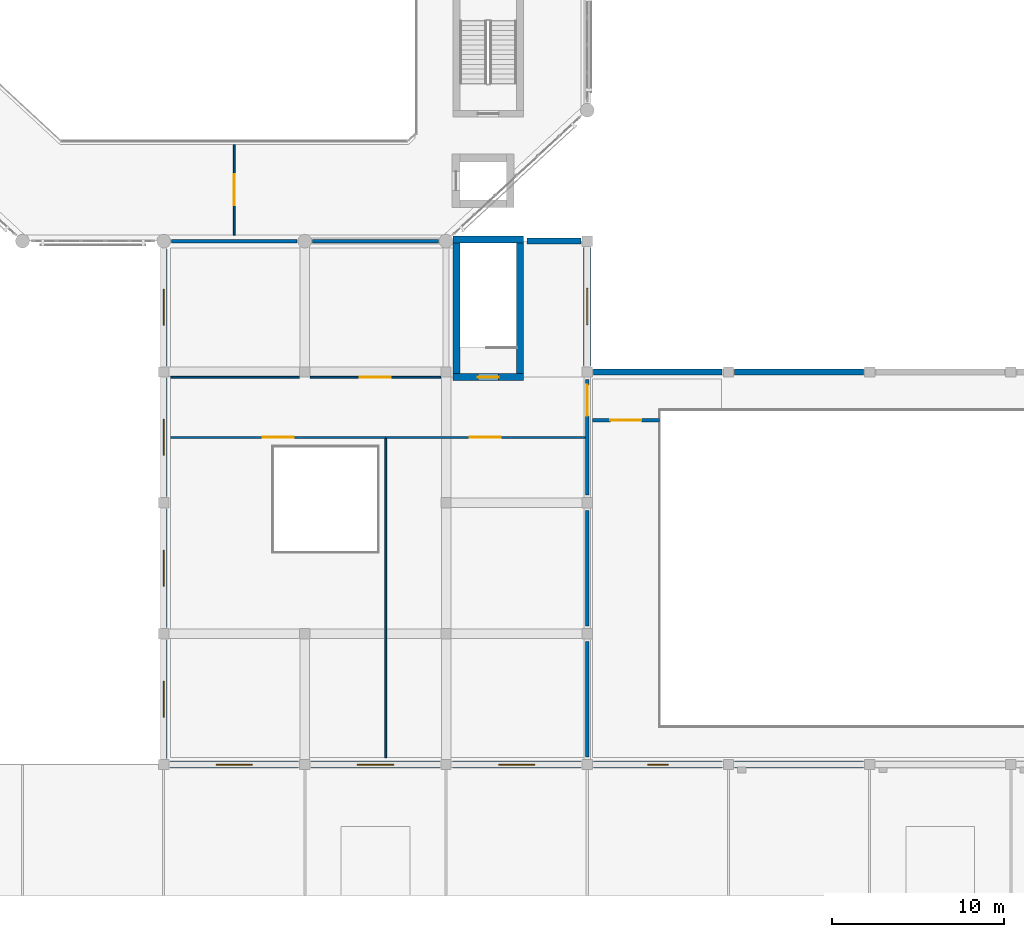
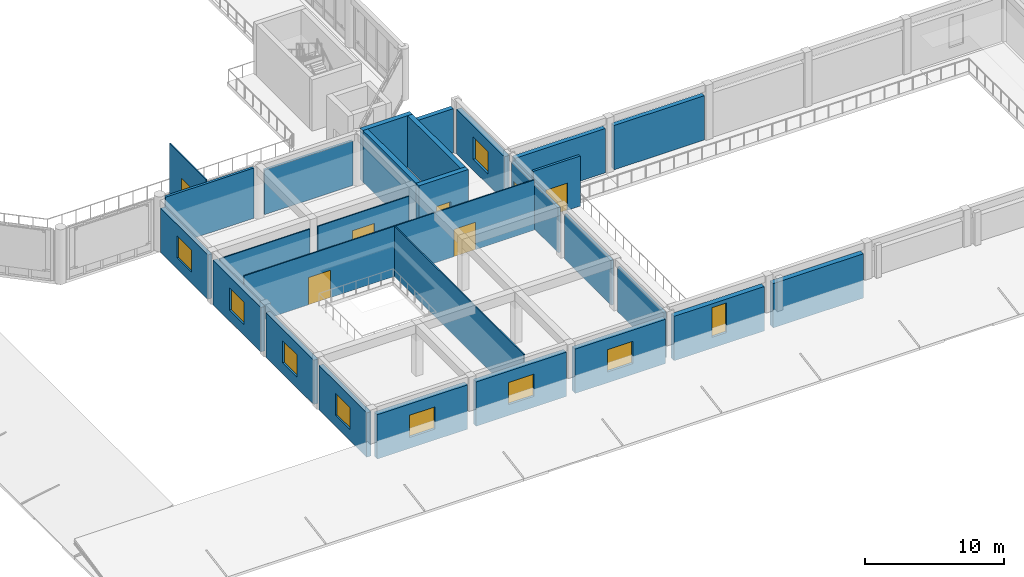
# One storey, part 36 of 57: 29 walls, 9 windows, 7 doors, 16 openings.
"""IFC4 building model written with IfcOpenShell, lengths in metres."""

from ifc_helpers import new_model, si_unit, direction, frame, frame_2d, origin, place, context, subcontext, project, spatial, rectangle, extrude, material, layer, layer_set, type_object, element, fill, save


model = new_model("IFC4")

# Units and contexts
model_context = context("Model", 3, precision=1e-05, world=origin(), true_north=direction((0.0, 1.0)))
body_context = subcontext(model_context, "Body", "Model", "MODEL_VIEW")
ifc_project = project(units=[si_unit("LENGTHUNIT", "METRE"), si_unit("AREAUNIT", "SQUARE_METRE"), si_unit("VOLUMEUNIT", "CUBIC_METRE"), si_unit("PLANEANGLEUNIT", "RADIAN"), si_unit("MASSUNIT", "GRAM", prefix="KILO")], contexts=[model_context])

# Site, building, storey
site_placement = place(None, origin())
site = spatial("IfcSite", under=ifc_project, at=site_placement, CompositionType="ELEMENT")
building_placement = place(site_placement, origin())
building = spatial("IfcBuilding", under=site, at=building_placement, Name="Qandaris Square Conservatory and Botanical Centre", CompositionType="ELEMENT")
storey_placement = place(building_placement, frame((0.0, 0.0, 5.39990234375)))
storey = spatial("IfcBuildingStorey", under=building, at=storey_placement, Name="L01", CompositionType="ELEMENT", Elevation=5.39990234375)

# Walls
ifc_material_1 = material(Name="Precast concrete C40/50", Category="concrete")
ifc_layer_1 = layer(ifc_material_1, 0.360107421875)
ifc_layer_set_1 = layer_set([ifc_layer_1], Name="Precast concrete C40/50")
wall_type_1 = type_object("IfcWallType", Name="Architectural Precast Cladding Wall 360mm", PredefinedType="SOLIDWALL", material=ifc_layer_set_1)
for number, where, z_axis, x_axis, name in (
    (1, (73.239990234375, 39.39990234375, 0.0), (0.0, 0.0, 1.0), (-1.0, 0.0, 0.0), "Exterior Wall EW-V2-L01-3-4"),
    (2, (65.0400390625, 39.39990234375, 0.0), (0.0, 0.0, 1.0), (-1.0, 0.0, 0.0), "Exterior Wall EW-V2-L01-3-5"),
):
    element("IfcWall", number, at=place(storey_placement, frame(where, z_axis=z_axis, x_axis=x_axis)), inside=storey, type_object=wall_type_1, Name=name, PredefinedType="SOLIDWALL", context=body_context, shape_type="SweptSolid", body=[
        extrude(rectangle(XDim=7.47998046875, YDim=0.360107421875, at=frame_2d((3.739990234375, 0.0))), origin(), (0.0, 0.0, 1.0), 3.885009765625),
    ])
wall_1_placement = place(storey_placement, frame((53.7099609375, 47.0, 0.0), z_axis=(0.0, 0.0, 1.0), x_axis=(1.0, 0.0, 0.0)))
element("IfcWall", 3, at=wall_1_placement, inside=storey, type_object=wall_type_1, Name="Exterior Wall EW-V3A-L01-3-1", PredefinedType="SOLIDWALL", context=body_context, shape_type="SweptSolid", body=[
    extrude(rectangle(XDim=3.130126953125, YDim=0.360107421875, at=frame_2d((1.56494140625, 0.0))), origin(), (0.0, 0.0, 1.0), 3.885009765625),
])

# Wall, opening, window
wall_2_placement = place(storey_placement, frame((32.60009765625, 46.5400390625, 0.0), z_axis=(0.0, 0.0, 1.0), x_axis=(0.0, -1.0, 0.0)))
wall_2 = element("IfcWall", 4, at=wall_2_placement, inside=storey, type_object=wall_type_1, Name="Exterior Wall EW-V3A-L01-4-1", PredefinedType="SOLIDWALL", context=body_context, shape_type="SweptSolid", body=[
    extrude(rectangle(XDim=6.780029296875, YDim=0.360107421875, at=frame_2d((3.39013671875, 0.0))), origin(), (0.0, 0.0, 1.0), 3.885009765625),
])
opening_1_placement = place(wall_2_placement, frame((2.340087890625, 0.0, 0.949951171875)))
opening_1 = element("IfcOpeningElement", 5, at=opening_1_placement, cuts=wall_2, Name="Opening WN-07", PredefinedType="OPENING", context=body_context, shape_type="SweptSolid", body=[
    extrude(rectangle(XDim=2.10009765625, YDim=1.949951171875, at=frame_2d((1.050048828125, 0.97509765625))), frame((0.0, 0.19189453125, 0.0), z_axis=(0.0, -1.0, 0.0), x_axis=(1.0, 0.0, 0.0)), (0.0, 0.0, 1.0), 0.384033203125),
])
ifc_material_2 = material(Name="Tempered Low-E Glass", Category="glass")
window_type_1 = type_object("IfcWindowType", Name="Visitor Classroom Deep-Set Window 2100x1950", PartitioningType="DOUBLE_PANEL_VERTICAL", PredefinedType="WINDOW", material=ifc_material_2)
window_1_placement = place(opening_1_placement, origin())
window_1 = element("IfcWindow", 6, at=window_1_placement, inside=storey, type_object=window_type_1, Name="Window EW-V3A-L01-4-1", OverallHeight=1.949951171875, OverallWidth=2.10009765625, PartitioningType="DOUBLE_PANEL_VERTICAL", PredefinedType="WINDOW", context=body_context, shape_type="SweptSolid", body=[
    extrude(rectangle(XDim=2.10009765625, YDim=1.949951171875, at=frame_2d((1.050048828125, 0.97509765625))), frame((0.0, 0.030029296875, 0.0), z_axis=(0.0, -1.0, 0.0), x_axis=(1.0, 0.0, 0.0)), (0.0, 0.0, 1.0), 0.06005859375),
])
fill(opening_1, window_1)

wall_3_placement = place(storey_placement, frame((32.60009765625, 39.0400390625, 0.0), z_axis=(0.0, 0.0, 1.0), x_axis=(0.0, -1.0, 0.0)))
wall_3 = element("IfcWall", 7, at=wall_3_placement, inside=storey, type_object=wall_type_1, Name="Exterior Wall EW-V3A-L01-4-2", PredefinedType="SOLIDWALL", context=body_context, shape_type="SweptSolid", body=[
    extrude(rectangle(XDim=6.880126953125, YDim=0.360107421875, at=frame_2d((3.43994140625, 0.0))), origin(), (0.0, 0.0, 1.0), 3.885009765625),
])
opening_2_placement = place(wall_3_placement, frame((2.389892578125, 0.0, 0.949951171875)))
opening_2 = element("IfcOpeningElement", 8, at=opening_2_placement, cuts=wall_3, Name="Opening WN-07", PredefinedType="OPENING", context=body_context, shape_type="SweptSolid", body=[
    extrude(rectangle(XDim=2.10009765625, YDim=1.949951171875, at=frame_2d((1.050048828125, 0.97509765625))), frame((0.0, 0.19189453125, 0.0), z_axis=(0.0, -1.0, 0.0), x_axis=(1.0, 0.0, 0.0)), (0.0, 0.0, 1.0), 0.384033203125),
])
window_2_placement = place(opening_2_placement, origin())
window_2 = element("IfcWindow", 9, at=window_2_placement, inside=storey, type_object=window_type_1, Name="Window EW-V3A-L01-4-2", OverallHeight=1.949951171875, OverallWidth=2.10009765625, PartitioningType="DOUBLE_PANEL_VERTICAL", PredefinedType="WINDOW", context=body_context, shape_type="SweptSolid", body=[
    extrude(rectangle(XDim=2.10009765625, YDim=1.949951171875, at=frame_2d((1.050048828125, 0.97509765625))), frame((0.0, 0.030029296875, 0.0), z_axis=(0.0, -1.0, 0.0), x_axis=(1.0, 0.0, 0.0)), (0.0, 0.0, 1.0), 0.06005859375),
])
fill(opening_2, window_2)

wall_4_placement = place(storey_placement, frame((32.60009765625, 31.43994140625, 0.0), z_axis=(0.0, 0.0, 1.0), x_axis=(0.0, -1.0, 0.0)))
wall_4 = element("IfcWall", 10, at=wall_4_placement, inside=storey, type_object=wall_type_1, Name="Exterior Wall EW-V3A-L01-4-3", PredefinedType="SOLIDWALL", context=body_context, shape_type="SweptSolid", body=[
    extrude(rectangle(XDim=6.8798828125, YDim=0.360107421875, at=frame_2d((3.43994140625, 0.0))), origin(), (0.0, 0.0, 1.0), 3.885009765625),
])
opening_3_placement = place(wall_4_placement, frame((2.389892578125, 0.0, 0.949951171875)))
opening_3 = element("IfcOpeningElement", 11, at=opening_3_placement, cuts=wall_4, Name="Opening WN-07", PredefinedType="OPENING", context=body_context, shape_type="SweptSolid", body=[
    extrude(rectangle(XDim=2.10009765625, YDim=1.949951171875, at=frame_2d((1.050048828125, 0.97509765625))), frame((0.0, 0.19189453125, 0.0), z_axis=(0.0, -1.0, 0.0), x_axis=(1.0, 0.0, 0.0)), (0.0, 0.0, 1.0), 0.384033203125),
])
window_3_placement = place(opening_3_placement, origin())
window_3 = element("IfcWindow", 12, at=window_3_placement, inside=storey, type_object=window_type_1, Name="Window EW-V3A-L01-4-3", OverallHeight=1.949951171875, OverallWidth=2.10009765625, PartitioningType="DOUBLE_PANEL_VERTICAL", PredefinedType="WINDOW", context=body_context, shape_type="SweptSolid", body=[
    extrude(rectangle(XDim=2.10009765625, YDim=1.949951171875, at=frame_2d((1.050048828125, 0.97509765625))), frame((0.0, 0.030029296875, 0.0), z_axis=(0.0, -1.0, 0.0), x_axis=(1.0, 0.0, 0.0)), (0.0, 0.0, 1.0), 0.06005859375),
])
fill(opening_3, window_3)

wall_5_placement = place(storey_placement, frame((32.60009765625, 23.840087890625, 0.0), z_axis=(0.0, 0.0, 1.0), x_axis=(0.0, -1.0, 0.0)))
wall_5 = element("IfcWall", 13, at=wall_5_placement, inside=storey, type_object=wall_type_1, Name="Exterior Wall EW-V3A-L01-4-4", PredefinedType="SOLIDWALL", context=body_context, shape_type="SweptSolid", body=[
    extrude(rectangle(XDim=6.880126953125, YDim=0.360107421875, at=frame_2d((3.43994140625, 0.0))), origin(), (0.0, 0.0, 1.0), 3.885009765625),
])
opening_4_placement = place(wall_5_placement, frame((2.389892578125, 0.0, 0.949951171875)))
opening_4 = element("IfcOpeningElement", 14, at=opening_4_placement, cuts=wall_5, Name="Opening WN-07", PredefinedType="OPENING", context=body_context, shape_type="SweptSolid", body=[
    extrude(rectangle(XDim=2.10009765625, YDim=1.949951171875, at=frame_2d((1.050048828125, 0.97509765625))), frame((0.0, 0.19189453125, 0.0), z_axis=(0.0, -1.0, 0.0), x_axis=(1.0, 0.0, 0.0)), (0.0, 0.0, 1.0), 0.384033203125),
])
window_4_placement = place(opening_4_placement, origin())
window_4 = element("IfcWindow", 15, at=window_4_placement, inside=storey, type_object=window_type_1, Name="Window EW-V3A-L01-4-4", OverallHeight=1.949951171875, OverallWidth=2.10009765625, PartitioningType="DOUBLE_PANEL_VERTICAL", PredefinedType="WINDOW", context=body_context, shape_type="SweptSolid", body=[
    extrude(rectangle(XDim=2.10009765625, YDim=1.949951171875, at=frame_2d((1.050048828125, 0.97509765625))), frame((0.0, 0.030029296875, 0.0), z_axis=(0.0, -1.0, 0.0), x_axis=(1.0, 0.0, 0.0)), (0.0, 0.0, 1.0), 0.06005859375),
])
fill(opening_4, window_4)

# Wall, opening, door
ifc_layer_2 = layer(ifc_material_2, 0.10009765625)
ifc_layer_set_2 = layer_set([ifc_layer_2], Name="Tempered Low-E Glass")
wall_type_2 = type_object("IfcWallType", Name="Framed Acoustic Glazed Gallery Screen 100mm", PredefinedType="PARTITIONING", material=ifc_layer_set_2)
wall_6_placement = place(storey_placement, frame((36.699951171875, 47.35009765625, 0.0), z_axis=(0.0, 0.0, 1.0), x_axis=(0.0, 1.0, 0.0)))
wall_6 = element("IfcWall", 16, at=wall_6_placement, inside=storey, type_object=wall_type_2, Name="Interior Partition IW-L01-0123", PredefinedType="PARTITIONING", context=body_context, shape_type="SweptSolid", body=[
    extrude(rectangle(XDim=5.25, YDim=0.10009765625, at=frame_2d((2.625, 0.0))), origin(), (0.0, 0.0, 1.0), 4.405029296875),
])
opening_5_placement = place(wall_6_placement, frame((1.72509765625, 0.0, 0.0)))
opening_5 = element("IfcOpeningElement", 17, at=opening_5_placement, cuts=wall_6, Name="Opening D-GL1", PredefinedType="OPENING", context=body_context, shape_type="SweptSolid", body=[
    extrude(rectangle(XDim=1.800048828125, YDim=2.39990234375, at=frame_2d((0.89990234375, 1.199951171875))), frame((0.0, 0.06201171875, 0.0), z_axis=(0.0, -1.0, 0.0), x_axis=(1.0, 0.0, 0.0)), (0.0, 0.0, 1.0), 0.1240234375),
])
ifc_material_3 = material(Name="Anodised Aluminium", Category="aluminium")
door_type_1 = type_object("IfcDoorType", Name="Visitor Gallery Glazed Double Door 1800x2400", OperationType="DOUBLE_DOOR_SINGLE_SWING", PredefinedType="DOOR", material=ifc_material_3)
door_1_placement = place(opening_5_placement, origin())
door_1 = element("IfcDoor", 18, at=door_1_placement, inside=storey, type_object=door_type_1, Name="DR-0098 Conservatory Canopy Skywalk Gallery East Door", OperationType="DOUBLE_DOOR_SINGLE_SWING", OverallHeight=2.39990234375, OverallWidth=1.800048828125, PredefinedType="DOOR", context=body_context, shape_type="SweptSolid", body=[
    extrude(rectangle(XDim=1.800048828125, YDim=2.39990234375, at=frame_2d((0.89990234375, 1.199951171875))), frame((0.0, 0.02490234375, 0.0), z_axis=(0.0, -1.0, 0.0), x_axis=(1.0, 0.0, 0.0)), (0.0, 0.0, 1.0), 0.050048828125),
])
fill(opening_5, door_1)

wall_7_placement = place(storey_placement, frame((45.5, 35.60009765625, 0.0), z_axis=(0.0, 0.0, 1.0), x_axis=(-1.0, 0.0, 0.0)))
wall_7 = element("IfcWall", 19, at=wall_7_placement, inside=storey, type_object=wall_type_2, Name="Interior Partition IW-L01-0127", PredefinedType="PARTITIONING", context=body_context, shape_type="SweptSolid", body=[
    extrude(rectangle(XDim=12.5, YDim=0.10009765625, at=frame_2d((6.25, 0.0))), origin(), (0.0, 0.0, 1.0), 4.405029296875),
])
opening_6_placement = place(wall_7_placement, frame((5.35009765625, 0.0, 0.0)))
opening_6 = element("IfcOpeningElement", 20, at=opening_6_placement, cuts=wall_7, Name="Opening D-GL1", PredefinedType="OPENING", context=body_context, shape_type="SweptSolid", body=[
    extrude(rectangle(XDim=1.800048828125, YDim=2.39990234375, at=frame_2d((0.89990234375, 1.199951171875))), frame((0.0, 0.06201171875, 0.0), z_axis=(0.0, -1.0, 0.0), x_axis=(1.0, 0.0, 0.0)), (0.0, 0.0, 1.0), 0.1240234375),
])
door_2_placement = place(opening_6_placement, frame((1.800048828125, 0.0, 0.0), z_axis=(0.0, 0.0, 1.0), x_axis=(-1.0, 0.0, 0.0)))
door_2 = element("IfcDoor", 21, at=door_2_placement, inside=storey, type_object=door_type_1, Name="DR-0099 Visitor Centre School Teaching Laboratory Door", OperationType="DOUBLE_DOOR_SINGLE_SWING", OverallHeight=2.39990234375, OverallWidth=1.800048828125, PredefinedType="DOOR", context=body_context, shape_type="SweptSolid", body=[
    extrude(rectangle(XDim=1.800048828125, YDim=2.39990234375, at=frame_2d((0.89990234375, 1.199951171875))), frame((0.0, 0.02490234375, 0.0), z_axis=(0.0, -1.0, 0.0), x_axis=(1.0, 0.0, 0.0)), (0.0, 0.0, 1.0), 0.050048828125),
])
fill(opening_6, door_2)

wall_8_placement = place(storey_placement, frame((57.070068359375, 35.60009765625, 0.0), z_axis=(0.0, 0.0, 1.0), x_axis=(-1.0, 0.0, 0.0)))
wall_8 = element("IfcWall", 22, at=wall_8_placement, inside=storey, type_object=wall_type_2, Name="Interior Partition IW-L01-0128", PredefinedType="PARTITIONING", context=body_context, shape_type="SweptSolid", body=[
    extrude(rectangle(XDim=11.570068359375, YDim=0.10009765625, at=frame_2d((5.78515625, 0.0))), origin(), (0.0, 0.0, 1.0), 4.405029296875),
])
opening_7_placement = place(wall_8_placement, frame((4.885009765625, 0.0, 0.0)))
opening_7 = element("IfcOpeningElement", 23, at=opening_7_placement, cuts=wall_8, Name="Opening D-GL1", PredefinedType="OPENING", context=body_context, shape_type="SweptSolid", body=[
    extrude(rectangle(XDim=1.800048828125, YDim=2.39990234375, at=frame_2d((0.89990234375, 1.199951171875))), frame((0.0, 0.06201171875, 0.0), z_axis=(0.0, -1.0, 0.0), x_axis=(1.0, 0.0, 0.0)), (0.0, 0.0, 1.0), 0.1240234375),
])
door_3_placement = place(opening_7_placement, origin())
door_3 = element("IfcDoor", 24, at=door_3_placement, inside=storey, type_object=door_type_1, Name="DR-0100 Youth Botany Discovery Classroom Door", OperationType="DOUBLE_DOOR_SINGLE_SWING", OverallHeight=2.39990234375, OverallWidth=1.800048828125, PredefinedType="DOOR", context=body_context, shape_type="SweptSolid", body=[
    extrude(rectangle(XDim=1.800048828125, YDim=2.39990234375, at=frame_2d((0.89990234375, 1.199951171875))), frame((0.0, 0.02490234375, 0.0), z_axis=(0.0, -1.0, 0.0), x_axis=(1.0, 0.0, 0.0)), (0.0, 0.0, 1.0), 0.050048828125),
])
fill(opening_7, door_3)

# Wall
wall_9_placement = place(storey_placement, frame((33.0, 39.10009765625, 0.0), z_axis=(0.0, 0.0, 1.0), x_axis=(1.0, 0.0, 0.0)))
element("IfcWall", 25, at=wall_9_placement, inside=storey, type_object=wall_type_2, Name="Interior Partition IW-L01-0129", PredefinedType="PARTITIONING", context=body_context, shape_type="SweptSolid", body=[
    extrude(rectangle(XDim=7.47998046875, YDim=0.10009765625, at=frame_2d((3.739990234375, 0.0))), origin(), (0.0, 0.0, 1.0), 3.780029296875),
])

# Wall, opening, door
wall_10_placement = place(storey_placement, frame((41.1201171875, 39.10009765625, 0.0), z_axis=(0.0, 0.0, 1.0), x_axis=(1.0, 0.0, 0.0)))
wall_10 = element("IfcWall", 26, at=wall_10_placement, inside=storey, type_object=wall_type_2, Name="Interior Partition IW-L01-0130", PredefinedType="PARTITIONING", context=body_context, shape_type="SweptSolid", body=[
    extrude(rectangle(XDim=7.559814453125, YDim=0.10009765625, at=frame_2d((3.77978515625, 0.0))), origin(), (0.0, 0.0, 1.0), 3.780029296875),
])
opening_8_placement = place(wall_10_placement, frame((2.8798828125, 0.0, 0.0)))
opening_8 = element("IfcOpeningElement", 27, at=opening_8_placement, cuts=wall_10, Name="Opening D-GL1", PredefinedType="OPENING", context=body_context, shape_type="SweptSolid", body=[
    extrude(rectangle(XDim=1.800048828125, YDim=2.39990234375, at=frame_2d((0.89990234375, 1.199951171875))), frame((0.0, 0.06201171875, 0.0), z_axis=(0.0, -1.0, 0.0), x_axis=(1.0, 0.0, 0.0)), (0.0, 0.0, 1.0), 0.1240234375),
])
door_4_placement = place(opening_8_placement, frame((1.800048828125, 0.0, 0.0), z_axis=(0.0, 0.0, 1.0), x_axis=(-1.0, 0.0, 0.0)))
door_4 = element("IfcDoor", 28, at=door_4_placement, inside=storey, type_object=door_type_1, Name="DR-0101 Community Desert Gardening Workshop Door", OperationType="DOUBLE_DOOR_SINGLE_SWING", OverallHeight=2.39990234375, OverallWidth=1.800048828125, PredefinedType="DOOR", context=body_context, shape_type="SweptSolid", body=[
    extrude(rectangle(XDim=1.800048828125, YDim=2.39990234375, at=frame_2d((0.89990234375, 1.199951171875))), frame((0.0, 0.02490234375, 0.0), z_axis=(0.0, -1.0, 0.0), x_axis=(1.0, 0.0, 0.0)), (0.0, 0.0, 1.0), 0.050048828125),
])
fill(opening_8, door_4)

# Walls
wall_11_placement = place(storey_placement, frame((45.5, 35.60009765625, 0.0), z_axis=(0.0, 0.0, 1.0), x_axis=(0.0, -1.0, 0.0)))
element("IfcWall", 29, at=wall_11_placement, inside=storey, type_object=wall_type_2, Name="Interior Partition IW-L01-0131", PredefinedType="PARTITIONING", context=body_context, shape_type="SweptSolid", body=[
    extrude(rectangle(XDim=18.60009765625, YDim=0.10009765625, at=frame_2d((9.300048828125, 0.0))), origin(), (0.0, 0.0, 1.0), 4.405029296875),
])
ifc_material_4 = material(Name="Concrete C40/50", Category="concrete")
ifc_layer_3 = layer(ifc_material_4, 0.199951171875)
ifc_layer_set_3 = layer_set([ifc_layer_3], Name="Concrete C40/50")
wall_type_3 = type_object("IfcWallType", Name="Herbarium & Plant Compartment Wall 200mm", PredefinedType="PARTITIONING", material=ifc_layer_set_3)
wall_12_placement = place(storey_placement, frame((57.199951171875, 17.050048828125, 0.0), z_axis=(0.0, 0.0, 1.0), x_axis=(0.0, 1.0, 0.0)))
element("IfcWall", 30, at=wall_12_placement, inside=storey, type_object=wall_type_3, Name="Compartment Wall PW-V3AV2-L01-1", PredefinedType="PARTITIONING", context=body_context, shape_type="SweptSolid", body=[
    extrude(rectangle(XDim=6.699951171875, YDim=0.199951171875, at=frame_2d((3.35009765625, 0.0))), origin(), (0.0, 0.0, 1.0), 3.93017578125),
])
wall_13_placement = place(storey_placement, frame((57.199951171875, 24.64990234375, 0.0), z_axis=(0.0, 0.0, 1.0), x_axis=(0.0, 1.0, 0.0)))
element("IfcWall", 31, at=wall_13_placement, inside=storey, type_object=wall_type_3, Name="Compartment Wall PW-V3AV2-L01-2", PredefinedType="PARTITIONING", context=body_context, shape_type="SweptSolid", body=[
    extrude(rectangle(XDim=6.7001953125, YDim=0.199951171875, at=frame_2d((3.35009765625, 0.0))), origin(), (0.0, 0.0, 1.0), 3.93017578125),
])

# Wall, opening, door
wall_14_placement = place(storey_placement, frame((57.199951171875, 32.25, 0.0), z_axis=(0.0, 0.0, 1.0), x_axis=(0.0, 1.0, 0.0)))
wall_14 = element("IfcWall", 32, at=wall_14_placement, inside=storey, type_object=wall_type_3, Name="Compartment Wall PW-V3AV2-L01-3", PredefinedType="PARTITIONING", context=body_context, shape_type="SweptSolid", body=[
    extrude(rectangle(XDim=6.699951171875, YDim=0.199951171875, at=frame_2d((3.35009765625, 0.0))), origin(), (0.0, 0.0, 1.0), 3.93017578125),
])
opening_9_placement = place(wall_14_placement, frame((4.60009765625, 0.0, 0.0)))
opening_9 = element("IfcOpeningElement", 33, at=opening_9_placement, cuts=wall_14, Name="Opening D-AUD1", PredefinedType="OPENING", context=body_context, shape_type="SweptSolid", body=[
    extrude(rectangle(XDim=1.800048828125, YDim=2.39990234375, at=frame_2d((0.89990234375, 1.199951171875))), frame((0.0, 0.11181640625, 0.0), z_axis=(0.0, -1.0, 0.0), x_axis=(1.0, 0.0, 0.0)), (0.0, 0.0, 1.0), 0.223876953125),
])
ifc_material_5 = material(Name="Engineered Oak Timber", Category="wood")
door_type_2 = type_object("IfcDoorType", Name="Auditorium Acoustic Vestibule Double Door 1800x2400", OperationType="DOUBLE_DOOR_SINGLE_SWING", PredefinedType="DOOR", material=ifc_material_5)
door_5_placement = place(opening_9_placement, origin())
door_5 = element("IfcDoor", 34, at=door_5_placement, inside=storey, type_object=door_type_2, Name="DR-0090 Inter-Volume Connecting Door PVD-L01-V3AV2", OperationType="DOUBLE_DOOR_SINGLE_SWING", OverallHeight=2.39990234375, OverallWidth=1.800048828125, PredefinedType="DOOR", context=body_context, shape_type="SweptSolid", body=[
    extrude(rectangle(XDim=1.800048828125, YDim=2.39990234375, at=frame_2d((0.89990234375, 1.199951171875))), frame((0.0, 0.02490234375, 0.0), z_axis=(0.0, -1.0, 0.0), x_axis=(1.0, 0.0, 0.0)), (0.0, 0.0, 1.0), 0.050048828125),
])
fill(opening_9, door_5)

# Walls
wall_15_placement = place(storey_placement, frame((33.050048828125, 47.0, 0.0), z_axis=(0.0, 0.0, 1.0), x_axis=(1.0, 0.0, 0.0)))
element("IfcWall", 35, at=wall_15_placement, inside=storey, type_object=wall_type_3, Name="Compartment Wall PW-V3AV1-L01-1", PredefinedType="PARTITIONING", context=body_context, shape_type="SweptSolid", body=[
    extrude(rectangle(XDim=7.300048828125, YDim=0.199951171875, at=frame_2d((3.64990234375, 0.0))), origin(), (0.0, 0.0, 1.0), 4.405029296875),
])
wall_16_placement = place(storey_placement, frame((41.25, 47.0, 0.0), z_axis=(0.0, 0.0, 1.0), x_axis=(1.0, 0.0, 0.0)))
element("IfcWall", 36, at=wall_16_placement, inside=storey, type_object=wall_type_3, Name="Compartment Wall PW-V3AV1-L01-2", PredefinedType="PARTITIONING", context=body_context, shape_type="SweptSolid", body=[
    extrude(rectangle(XDim=7.300048828125, YDim=0.199951171875, at=frame_2d((3.64990234375, 0.0))), origin(), (0.0, 0.0, 1.0), 3.905029296875),
])

# Wall, opening, door
wall_17_placement = place(storey_placement, frame((61.39990234375, 36.60009765625, 0.0), z_axis=(0.0, 0.0, 1.0), x_axis=(-1.0, 0.0, 0.0)))
wall_17 = element("IfcWall", 37, at=wall_17_placement, inside=storey, type_object=wall_type_3, Name="Interior Partition IW-L01-0125", PredefinedType="PARTITIONING", context=body_context, shape_type="SweptSolid", body=[
    extrude(rectangle(XDim=3.89990234375, YDim=0.199951171875, at=frame_2d((1.949951171875, 0.0))), origin(), (0.0, 0.0, 1.0), 4.405029296875),
])
opening_10_placement = place(wall_17_placement, frame((1.050048828125, 0.0, 0.0)))
opening_10 = element("IfcOpeningElement", 38, at=opening_10_placement, cuts=wall_17, Name="Opening D-AUD1", PredefinedType="OPENING", context=body_context, shape_type="SweptSolid", body=[
    extrude(rectangle(XDim=1.800048828125, YDim=2.39990234375, at=frame_2d((0.89990234375, 1.199951171875))), frame((0.0, 0.11181640625, 0.0), z_axis=(0.0, -1.0, 0.0), x_axis=(1.0, 0.0, 0.0)), (0.0, 0.0, 1.0), 0.223876953125),
])
door_6_placement = place(opening_10_placement, frame((1.800048828125, 0.0, 0.0), z_axis=(0.0, 0.0, 1.0), x_axis=(-1.0, 0.0, 0.0)))
door_6 = element("IfcDoor", 39, at=door_6_placement, inside=storey, type_object=door_type_2, Name="DR-0089 Auditorium Upper Gallery Door", OperationType="DOUBLE_DOOR_SINGLE_SWING", OverallHeight=2.39990234375, OverallWidth=1.800048828125, PredefinedType="DOOR", context=body_context, shape_type="SweptSolid", body=[
    extrude(rectangle(XDim=1.800048828125, YDim=2.39990234375, at=frame_2d((0.89990234375, 1.199951171875))), frame((0.0, 0.02490234375, 0.0), z_axis=(0.0, -1.0, 0.0), x_axis=(1.0, 0.0, 0.0)), (0.0, 0.0, 1.0), 0.050048828125),
])
fill(opening_10, door_6)

# Wall, opening, window
ifc_layer_4 = layer(ifc_material_4, 0.419921875)
ifc_layer_set_4 = layer_set([ifc_layer_4], Name="Concrete C40/50")
wall_type_4 = type_object("IfcWallType", Name="Insulated Qatari Limestone Cavity Wall 420mm", PredefinedType="SOLIDWALL", material=ifc_layer_set_4)
wall_18_placement = place(storey_placement, frame((57.56005859375, 16.60009765625, 0.0), z_axis=(0.0, 0.0, 1.0), x_axis=(1.0, 0.0, 0.0)))
wall_18 = element("IfcWall", 40, at=wall_18_placement, inside=storey, type_object=wall_type_4, Name="Exterior Wall EW-V2-L01-1-1", PredefinedType="SOLIDWALL", context=body_context, shape_type="SweptSolid", body=[
    extrude(rectangle(XDim=7.47998046875, YDim=0.419921875, at=frame_2d((3.739990234375, 0.0))), origin(), (0.0, 0.0, 1.0), 3.885009765625),
])
opening_11_placement = place(wall_18_placement, frame((3.139892578125, 0.0, 0.949951171875)))
opening_11 = element("IfcOpeningElement", 41, at=opening_11_placement, cuts=wall_18, Name="Opening WN-10", PredefinedType="OPENING", context=body_context, shape_type="SweptSolid", body=[
    extrude(rectangle(XDim=1.199951171875, YDim=2.60009765625, at=frame_2d((0.60009765625, 1.300048828125))), frame((0.0, 0.221923828125, 0.0), z_axis=(0.0, -1.0, 0.0), x_axis=(1.0, 0.0, 0.0)), (0.0, 0.0, 1.0), 0.44384765625),
])
window_type_2 = type_object("IfcWindowType", Name="Auditorium Foyer Tall Lancet Window 1200x2600", PartitioningType="SINGLE_PANEL", PredefinedType="WINDOW", material=ifc_material_2)
window_5_placement = place(opening_11_placement, origin())
window_5 = element("IfcWindow", 42, at=window_5_placement, inside=storey, type_object=window_type_2, Name="Window EW-V2-L01-1-1", OverallHeight=2.60009765625, OverallWidth=1.199951171875, PartitioningType="SINGLE_PANEL", PredefinedType="WINDOW", context=body_context, shape_type="SweptSolid", body=[
    extrude(rectangle(XDim=1.199951171875, YDim=2.60009765625, at=frame_2d((0.60009765625, 1.300048828125))), frame((0.0, 0.030029296875, 0.0), z_axis=(0.0, -1.0, 0.0), x_axis=(1.0, 0.0, 0.0)), (0.0, 0.0, 1.0), 0.06005859375),
])
fill(opening_11, window_5)

# Wall
wall_19_placement = place(storey_placement, frame((65.760009765625, 16.60009765625, 0.0), z_axis=(0.0, 0.0, 1.0), x_axis=(1.0, 0.0, 0.0)))
element("IfcWall", 43, at=wall_19_placement, inside=storey, type_object=wall_type_4, Name="Exterior Wall EW-V2-L01-1-2", PredefinedType="SOLIDWALL", context=body_context, shape_type="SweptSolid", body=[
    extrude(rectangle(XDim=7.47998046875, YDim=0.419921875, at=frame_2d((3.739990234375, 0.0))), origin(), (0.0, 0.0, 1.0), 3.885009765625),
])

# Wall, opening, window
wall_20_placement = place(storey_placement, frame((32.9599609375, 16.60009765625, 0.0), z_axis=(0.0, 0.0, 1.0), x_axis=(1.0, 0.0, 0.0)))
wall_20 = element("IfcWall", 44, at=wall_20_placement, inside=storey, type_object=wall_type_4, Name="Exterior Wall EW-V3A-L01-1-1", PredefinedType="SOLIDWALL", context=body_context, shape_type="SweptSolid", body=[
    extrude(rectangle(XDim=7.47998046875, YDim=0.419921875, at=frame_2d((3.739990234375, 0.0))), origin(), (0.0, 0.0, 1.0), 3.885009765625),
])
opening_12_placement = place(wall_20_placement, frame((2.68994140625, 0.0, 0.949951171875)))
opening_12 = element("IfcOpeningElement", 45, at=opening_12_placement, cuts=wall_20, Name="Opening WN-07", PredefinedType="OPENING", context=body_context, shape_type="SweptSolid", body=[
    extrude(rectangle(XDim=2.10009765625, YDim=1.949951171875, at=frame_2d((1.050048828125, 0.97509765625))), frame((0.0, 0.221923828125, 0.0), z_axis=(0.0, -1.0, 0.0), x_axis=(1.0, 0.0, 0.0)), (0.0, 0.0, 1.0), 0.44384765625),
])
window_6_placement = place(opening_12_placement, origin())
window_6 = element("IfcWindow", 46, at=window_6_placement, inside=storey, type_object=window_type_1, Name="Window EW-V3A-L01-1-1", OverallHeight=1.949951171875, OverallWidth=2.10009765625, PartitioningType="DOUBLE_PANEL_VERTICAL", PredefinedType="WINDOW", context=body_context, shape_type="SweptSolid", body=[
    extrude(rectangle(XDim=2.10009765625, YDim=1.949951171875, at=frame_2d((1.050048828125, 0.97509765625))), frame((0.0, 0.030029296875, 0.0), z_axis=(0.0, -1.0, 0.0), x_axis=(1.0, 0.0, 0.0)), (0.0, 0.0, 1.0), 0.06005859375),
])
fill(opening_12, window_6)

wall_21_placement = place(storey_placement, frame((41.159912109375, 16.60009765625, 0.0), z_axis=(0.0, 0.0, 1.0), x_axis=(1.0, 0.0, 0.0)))
wall_21 = element("IfcWall", 47, at=wall_21_placement, inside=storey, type_object=wall_type_4, Name="Exterior Wall EW-V3A-L01-1-2", PredefinedType="SOLIDWALL", context=body_context, shape_type="SweptSolid", body=[
    extrude(rectangle(XDim=7.47998046875, YDim=0.419921875, at=frame_2d((3.739990234375, 0.0))), origin(), (0.0, 0.0, 1.0), 3.885009765625),
])
opening_13_placement = place(wall_21_placement, frame((2.68994140625, 0.0, 0.949951171875)))
opening_13 = element("IfcOpeningElement", 48, at=opening_13_placement, cuts=wall_21, Name="Opening WN-07", PredefinedType="OPENING", context=body_context, shape_type="SweptSolid", body=[
    extrude(rectangle(XDim=2.10009765625, YDim=1.949951171875, at=frame_2d((1.050048828125, 0.97509765625))), frame((0.0, 0.221923828125, 0.0), z_axis=(0.0, -1.0, 0.0), x_axis=(1.0, 0.0, 0.0)), (0.0, 0.0, 1.0), 0.44384765625),
])
window_7_placement = place(opening_13_placement, origin())
window_7 = element("IfcWindow", 49, at=window_7_placement, inside=storey, type_object=window_type_1, Name="Window EW-V3A-L01-1-2", OverallHeight=1.949951171875, OverallWidth=2.10009765625, PartitioningType="DOUBLE_PANEL_VERTICAL", PredefinedType="WINDOW", context=body_context, shape_type="SweptSolid", body=[
    extrude(rectangle(XDim=2.10009765625, YDim=1.949951171875, at=frame_2d((1.050048828125, 0.97509765625))), frame((0.0, 0.030029296875, 0.0), z_axis=(0.0, -1.0, 0.0), x_axis=(1.0, 0.0, 0.0)), (0.0, 0.0, 1.0), 0.06005859375),
])
fill(opening_13, window_7)

wall_22_placement = place(storey_placement, frame((49.360107421875, 16.60009765625, 0.0), z_axis=(0.0, 0.0, 1.0), x_axis=(1.0, 0.0, 0.0)))
wall_22 = element("IfcWall", 50, at=wall_22_placement, inside=storey, type_object=wall_type_4, Name="Exterior Wall EW-V3A-L01-1-3", PredefinedType="SOLIDWALL", context=body_context, shape_type="SweptSolid", body=[
    extrude(rectangle(XDim=7.47998046875, YDim=0.419921875, at=frame_2d((3.739990234375, 0.0))), origin(), (0.0, 0.0, 1.0), 3.885009765625),
])
opening_14_placement = place(wall_22_placement, frame((2.68994140625, 0.0, 0.949951171875)))
opening_14 = element("IfcOpeningElement", 51, at=opening_14_placement, cuts=wall_22, Name="Opening WN-07", PredefinedType="OPENING", context=body_context, shape_type="SweptSolid", body=[
    extrude(rectangle(XDim=2.10009765625, YDim=1.949951171875, at=frame_2d((1.050048828125, 0.97509765625))), frame((0.0, 0.221923828125, 0.0), z_axis=(0.0, -1.0, 0.0), x_axis=(1.0, 0.0, 0.0)), (0.0, 0.0, 1.0), 0.44384765625),
])
window_8_placement = place(opening_14_placement, origin())
window_8 = element("IfcWindow", 52, at=window_8_placement, inside=storey, type_object=window_type_1, Name="Window EW-V3A-L01-1-3", OverallHeight=1.949951171875, OverallWidth=2.10009765625, PartitioningType="DOUBLE_PANEL_VERTICAL", PredefinedType="WINDOW", context=body_context, shape_type="SweptSolid", body=[
    extrude(rectangle(XDim=2.10009765625, YDim=1.949951171875, at=frame_2d((1.050048828125, 0.97509765625))), frame((0.0, 0.030029296875, 0.0), z_axis=(0.0, -1.0, 0.0), x_axis=(1.0, 0.0, 0.0)), (0.0, 0.0, 1.0), 0.06005859375),
])
fill(opening_14, window_8)

wall_23_placement = place(storey_placement, frame((57.199951171875, 39.760009765625, 0.0), z_axis=(0.0, 0.0, 1.0), x_axis=(0.0, 1.0, 0.0)))
wall_23 = element("IfcWall", 53, at=wall_23_placement, inside=storey, type_object=wall_type_4, Name="Exterior Wall EW-V3A-L01-2-1", PredefinedType="SOLIDWALL", context=body_context, shape_type="SweptSolid", body=[
    extrude(rectangle(XDim=6.8798828125, YDim=0.419921875, at=frame_2d((3.43994140625, 0.0))), origin(), (0.0, 0.0, 1.0), 3.885009765625),
])
opening_15_placement = place(wall_23_placement, frame((2.389892578125, 0.0, 0.949951171875)))
opening_15 = element("IfcOpeningElement", 54, at=opening_15_placement, cuts=wall_23, Name="Opening WN-07", PredefinedType="OPENING", context=body_context, shape_type="SweptSolid", body=[
    extrude(rectangle(XDim=2.10009765625, YDim=1.949951171875, at=frame_2d((1.050048828125, 0.97509765625))), frame((0.0, 0.221923828125, 0.0), z_axis=(0.0, -1.0, 0.0), x_axis=(1.0, 0.0, 0.0)), (0.0, 0.0, 1.0), 0.44384765625),
])
window_9_placement = place(opening_15_placement, origin())
window_9 = element("IfcWindow", 55, at=window_9_placement, inside=storey, type_object=window_type_1, Name="Window EW-V3A-L01-2-1", OverallHeight=1.949951171875, OverallWidth=2.10009765625, PartitioningType="DOUBLE_PANEL_VERTICAL", PredefinedType="WINDOW", context=body_context, shape_type="SweptSolid", body=[
    extrude(rectangle(XDim=2.10009765625, YDim=1.949951171875, at=frame_2d((1.050048828125, 0.97509765625))), frame((0.0, 0.030029296875, 0.0), z_axis=(0.0, -1.0, 0.0), x_axis=(1.0, 0.0, 0.0)), (0.0, 0.0, 1.0), 0.06005859375),
])
fill(opening_15, window_9)

# Wall, opening, door
ifc_material_6 = material(Name="Concrete C50/60", Category="concrete")
ifc_layer_5 = layer(ifc_material_6, 0.39990234375)
ifc_layer_set_5 = layer_set([ifc_layer_5], Name="Concrete C50/60")
wall_type_5 = type_object("IfcWallType", Name="RC Stair Core Shear Wall 400mm", PredefinedType="SHEAR", material=ifc_layer_set_5)
wall_24_placement = place(storey_placement, frame((49.39990234375, 39.10009765625, 0.0), z_axis=(0.0, 0.0, 1.0), x_axis=(1.0, 0.0, 0.0)))
wall_24 = element("IfcWall", 56, at=wall_24_placement, inside=storey, type_object=wall_type_5, Name="ST-4 Core Shear Wall South (L01)", PredefinedType="SHEAR", context=body_context, shape_type="SweptSolid", body=[
    extrude(rectangle(XDim=4.10009765625, YDim=0.39990234375, at=frame_2d((2.050048828125, 0.0))), origin(), (0.0, 0.0, 1.0), 4.52001953125),
])
opening_16_placement = place(wall_24_placement, frame((1.449951171875, 0.0, 0.0)))
opening_16 = element("IfcOpeningElement", 57, at=opening_16_placement, cuts=wall_24, Name="Opening D-ST1", PredefinedType="OPENING", context=body_context, shape_type="SweptSolid", body=[
    extrude(rectangle(XDim=1.199951171875, YDim=2.199951171875, at=frame_2d((0.60009765625, 1.10009765625))), frame((0.0, 0.2119140625, 0.0), z_axis=(0.0, -1.0, 0.0), x_axis=(1.0, 0.0, 0.0)), (0.0, 0.0, 1.0), 0.423828125),
])
ifc_material_7 = material(Name="Steel S355", Category="steel")
door_type_3 = type_object("IfcDoorType", Name="Exit Stair Core Fire Door 1200x2200", OperationType="NOTDEFINED", PredefinedType="DOOR", material=ifc_material_7)
door_7_placement = place(opening_16_placement, origin())
door_7 = element("IfcDoor", 58, at=door_7_placement, inside=storey, type_object=door_type_3, Name="DR-0113 ST-4 Stair Core Door (L01)", OperationType="SINGLE_SWING_LEFT", OverallHeight=2.199951171875, OverallWidth=1.199951171875, PredefinedType="DOOR", context=body_context, shape_type="SweptSolid", body=[
    extrude(rectangle(XDim=1.199951171875, YDim=2.199951171875, at=frame_2d((0.60009765625, 1.10009765625))), frame((0.0, 0.02490234375, 0.0), z_axis=(0.0, -1.0, 0.0), x_axis=(1.0, 0.0, 0.0)), (0.0, 0.0, 1.0), 0.050048828125),
])
fill(opening_16, door_7)

# Walls
wall_25_placement = place(storey_placement, frame((49.39990234375, 47.10009765625, 0.0), z_axis=(0.0, 0.0, 1.0), x_axis=(1.0, 0.0, 0.0)))
element("IfcWall", 59, at=wall_25_placement, inside=storey, type_object=wall_type_5, Name="ST-4 Core Shear Wall North (L01)", PredefinedType="SHEAR", context=body_context, shape_type="SweptSolid", body=[
    extrude(rectangle(XDim=4.10009765625, YDim=0.39990234375, at=frame_2d((2.050048828125, 0.0))), origin(), (0.0, 0.0, 1.0), 4.52001953125),
])
for number, where, z_axis, x_axis, name in (
    (60, (49.60009765625, 39.300048828125, 0.0), (0.0, 0.0, 1.0), (0.0, 1.0, 0.0), "ST-4 Core Shear Wall West (L01)"),
    (61, (53.300048828125, 39.300048828125, 0.0), (0.0, 0.0, 1.0), (0.0, 1.0, 0.0), "ST-4 Core Shear Wall East (L01)"),
):
    element("IfcWall", number, at=place(storey_placement, frame(where, z_axis=z_axis, x_axis=x_axis)), inside=storey, type_object=wall_type_5, Name=name, PredefinedType="SHEAR", context=body_context, shape_type="SweptSolid", body=[
        extrude(rectangle(XDim=7.599853515625, YDim=0.39990234375, at=frame_2d((3.7998046875, 0.0))), origin(), (0.0, 0.0, 1.0), 4.52001953125),
    ])

save(model, "model.ifc")
